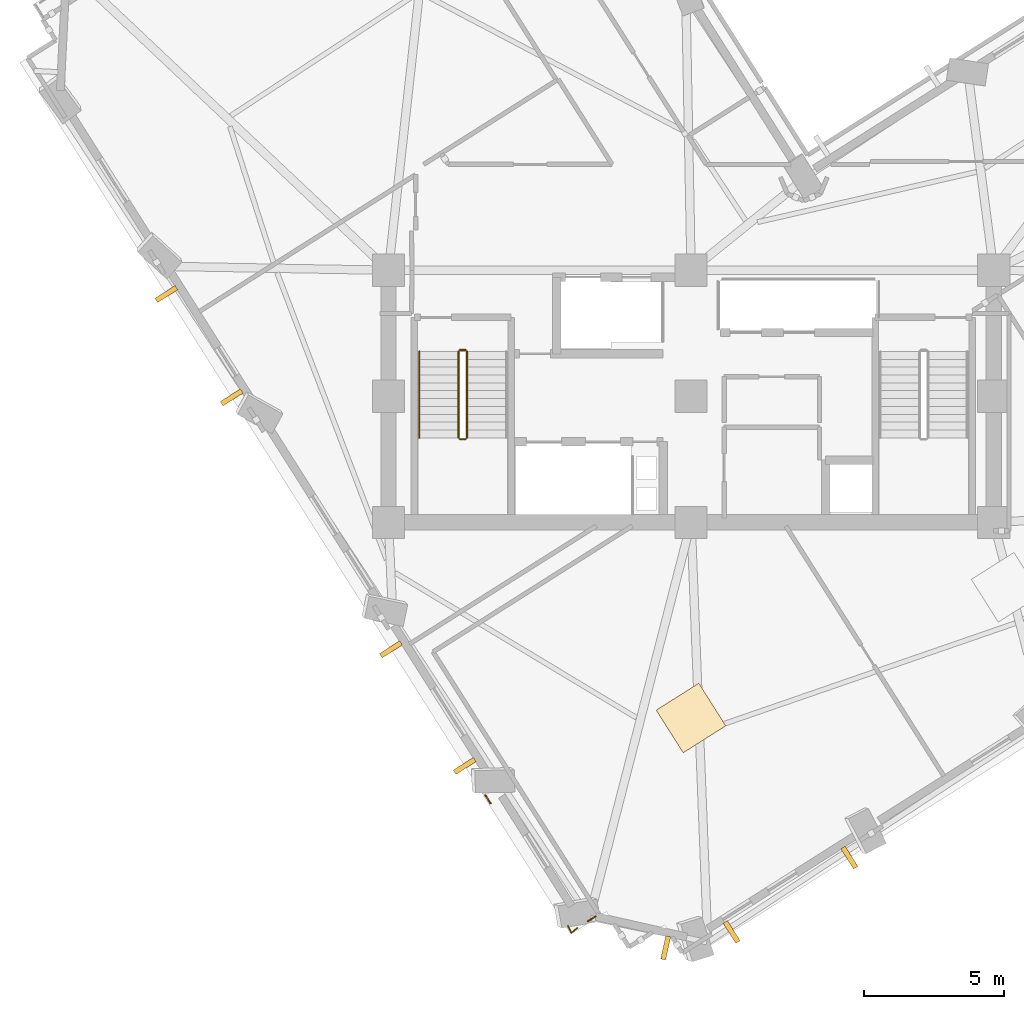
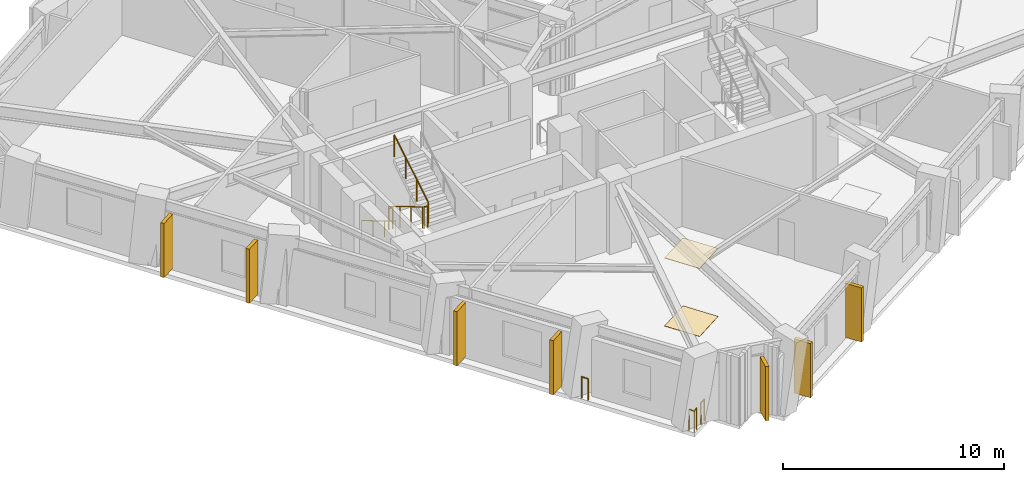
# One storey, part 10 of 14: 8 railings, 7 shading devices, 2 coverings.
"""IFC4 building model written with IfcOpenShell, lengths in metres."""

from ifc_helpers import new_model, si_unit, direction, frame, origin, origin_2d, place, context, subcontext, project, spatial, rectangle, circle, extrude, material, layer, layer_set, type_object, element, save


model = new_model("IFC4")

# Units and contexts
model_context = context("Model", 3, precision=1e-05, world=origin(), true_north=direction((0.0, 1.0)))
body_context = subcontext(model_context, "Body", "Model", "MODEL_VIEW")
ifc_project = project(units=[si_unit("LENGTHUNIT", "METRE"), si_unit("AREAUNIT", "SQUARE_METRE"), si_unit("VOLUMEUNIT", "CUBIC_METRE"), si_unit("PLANEANGLEUNIT", "RADIAN"), si_unit("MASSUNIT", "GRAM", prefix="KILO")], contexts=[model_context])

# Site, building, storey
site_placement = place(None, origin())
site = spatial("IfcSite", under=ifc_project, at=site_placement, CompositionType="ELEMENT")
building_placement = place(site_placement, origin())
building = spatial("IfcBuilding", under=site, at=building_placement, Name="Gaonmaruhae Medical Tower", CompositionType="ELEMENT")
storey_placement = place(building_placement, frame((0.0, 0.0, 161.800048828125)))
storey = spatial("IfcBuildingStorey", under=building, at=storey_placement, Name="L38", CompositionType="ELEMENT", Elevation=161.800048828125)

# Coverings
ifc_material_1 = material(Name="Acoustic mineral ceiling tile", Category="finish")
ifc_layer_1 = layer(ifc_material_1, 0.02490234375)
ifc_layer_set_1 = layer_set([ifc_layer_1], Name="Acoustic mineral ceiling tile")
covering_type_1 = type_object("IfcCoveringType", Name="CLG-01 Antimicrobial Acoustic Mineral Ceiling", PredefinedType="CEILING", material=ifc_layer_set_1)
covering_1_placement = place(storey_placement, frame((24.79638671875, 0.8203125, 3.7548828125), z_axis=(0.0, 0.0, 1.0), x_axis=(0.845261833222, 0.53435234939, 0.0)))
element("IfcCovering", 1, at=covering_1_placement, inside=storey, type_object=covering_type_1, Name="L38 Clinical Room Acoustic Ceiling 2", PredefinedType="CEILING", context=body_context, shape_type="SweptSolid", body=[
    extrude(rectangle(XDim=1.800048828125, YDim=1.800048828125, at=origin_2d()), origin(), (0.0, 0.0, 1.0), 0.02490234375),
])
ifc_material_2 = material(Name="Seamless clinical vinyl flooring", Category="finish")
ifc_layer_2 = layer(ifc_material_2, 0.014892578125)
ifc_layer_set_2 = layer_set([ifc_layer_2], Name="Seamless clinical vinyl flooring")
covering_type_2 = type_object("IfcCoveringType", Name="FLR-01 Seamless Clinical Antistatic Vinyl Flooring", PredefinedType="FLOORING", material=ifc_layer_set_2)
covering_2_placement = place(storey_placement, frame((24.79638671875, 0.8203125, 0.0), z_axis=(0.0, 0.0, 1.0), x_axis=(0.845261833222, 0.53435234939, 0.0)))
element("IfcCovering", 2, at=covering_2_placement, inside=storey, type_object=covering_type_2, Name="L38 Clinical Room Vinyl Flooring 2", PredefinedType="FLOORING", context=body_context, shape_type="SweptSolid", body=[
    extrude(rectangle(XDim=1.800048828125, YDim=1.800048828125, at=origin_2d()), origin(), (0.0, 0.0, 1.0), 0.014892578125),
])

# Railings
ifc_material_3 = material(Name="Stainless steel 316L and laminated safety glass", Category="steel")
ifc_layer_3 = layer(ifc_material_3, 0.080078125)
ifc_layer_set_3 = layer_set([ifc_layer_3], Name="Stainless steel 316L and laminated safety glass")
railing_type_1 = type_object("IfcRailingType", Name="GD-120 Outdoor Terrace Safety Glass & Steel Balustrade", PredefinedType="BALUSTRADE", material=ifc_layer_set_3)
railing_1_placement = place(storey_placement, frame((21.38818359375, -6.26171875, 0.0)))
element("IfcRailing", 3, at=railing_1_placement, inside=storey, type_object=railing_type_1, Name="L38 Perimeter Slab Edge Safety Balustrade 03", PredefinedType="BALUSTRADE", context=body_context, shape_type="SweptSolid", body=[
    extrude(circle(Radius=0.02392578125, at=origin_2d()), frame((0.0, 0.0, 1.17578125), z_axis=(-0.845044356852, -0.534696208097, 0.0), x_axis=(0.534696208097, -0.845044356852, 0.0)), (0.0, 0.0, 1.0), 0.326416015625),
    extrude(circle(Radius=0.02099609375, at=origin_2d()), origin(), (0.0, 0.0, 1.0), 1.15185546875),
    extrude(circle(Radius=0.02099609375, at=origin_2d()), frame((-0.27587890625, -0.174560546875, 0.0)), (0.0, 0.0, 1.0), 1.15185546875),
])
railing_2_placement = place(storey_placement, frame((17.64111328125, -2.224609375, 0.0)))
element("IfcRailing", 4, at=railing_2_placement, inside=storey, type_object=railing_type_1, Name="L38 Perimeter Slab Edge Safety Balustrade 04", PredefinedType="BALUSTRADE", context=body_context, shape_type="SweptSolid", body=[
    extrude(circle(Radius=0.02392578125, at=origin_2d()), frame((0.0, 0.0, 1.17578125), z_axis=(-0.534128219505, 0.84540348067, 0.0), x_axis=(-0.84540348067, -0.534128219505, 0.0)), (0.0, 0.0, 1.0), 0.339599609375),
    extrude(circle(Radius=0.02099609375, at=origin_2d()), origin(), (0.0, 0.0, 1.0), 1.15185546875),
    extrude(circle(Radius=0.02099609375, at=origin_2d()), frame((-0.181396484375, 0.287109375, 0.0)), (0.0, 0.0, 1.0), 1.15185546875),
])
railing_3_placement = place(storey_placement, frame((20.745849609375, -6.66796875, 0.0)))
element("IfcRailing", 5, at=railing_3_placement, inside=storey, type_object=railing_type_1, Name="L38 Perimeter Corner Safety Balustrade 08", PredefinedType="BALUSTRADE", context=body_context, shape_type="SweptSolid", body=[
    extrude(circle(Radius=0.02392578125, at=origin_2d()), frame((0.0, 0.0, 1.17578125), z_axis=(-0.773767842572, -0.63346927771, 0.0), x_axis=(0.63346927771, -0.773767842572, 0.0)), (0.0, 0.0, 1.0), 0.287109375),
    extrude(circle(Radius=0.02392578125, at=origin_2d()), frame((-0.22216796875, -0.181884765625, 1.17578125), z_axis=(-0.427392243912, 0.904066297261, 0.0), x_axis=(-0.904066297261, -0.427392243912, 0.0)), (0.0, 0.0, 1.0), 0.287353515625),
    extrude(circle(Radius=0.02099609375, at=origin_2d()), origin(), (0.0, 0.0, 1.0), 1.15185546875),
    extrude(circle(Radius=0.02099609375, at=origin_2d()), frame((-0.22216796875, -0.181884765625, 0.0)), (0.0, 0.0, 1.0), 1.15185546875),
    extrude(circle(Radius=0.02099609375, at=origin_2d()), frame((-0.344970703125, 0.077880859375, 0.0)), (0.0, 0.0, 1.0), 1.15185546875),
])
ifc_material_4 = material(Name="Stainless steel 304 handrail", Category="steel")
railing_type_2 = type_object("IfcRailingType", Name="HR-092 Continuous Stainless Steel Stair Handrail", PredefinedType="HANDRAIL", material=ifc_material_4)
railing_4_placement = place(storey_placement, frame((15.10009765625, 13.89990234375, 0.16650390625)))
element("IfcRailing", 6, at=railing_4_placement, inside=storey, type_object=railing_type_2, Name="L38 ST-01 stair handrail 1", PredefinedType="HANDRAIL", context=body_context, shape_type="SweptSolid", body=[
    extrude(circle(Radius=0.02392578125, at=origin_2d()), frame((0.0, 0.0, 0.8759765625), z_axis=(0.0, -0.859260807169, 0.511537745687), x_axis=(1.0, 0.0, 0.0)), (0.0, 0.0, 1.0), 3.584228515625),
    extrude(circle(Radius=0.02099609375, at=origin_2d()), origin(), (0.0, 0.0, 1.0), 0.851806640625),
    extrude(circle(Radius=0.02099609375, at=origin_2d()), frame((0.0, -1.026611328125, 0.611083984375)), (0.0, 0.0, 1.0), 0.851806640625),
    extrude(circle(Radius=0.02099609375, at=origin_2d()), frame((0.0, -2.05322265625, 1.222412109375)), (0.0, 0.0, 1.0), 0.851806640625),
    extrude(circle(Radius=0.02099609375, at=origin_2d()), frame((0.0, -3.079833984375, 1.83349609375)), (0.0, 0.0, 1.0), 0.851806640625),
])

# Shading devices
ifc_material_5 = material(Name="Pigmented coral precast concrete C45/55", Category="concrete")
shading_device_type = type_object("IfcShadingDeviceType", Name="SD-FIN1 Tower Vertical Coral Precast Shading Fin", PredefinedType="USERDEFINED", material=ifc_material_5)
for number, where, z_axis, x_axis, name in (
    (7, (30.447509765625, -4.160888671875, 0.08251953125), (0.0, 0.0, 1.0), (-0.845261833222, -0.53435234939, 0.0), "L38 Vertical Coral Precast Shading Fin S01"),
    (8, (26.24658203125, -6.816650390625, 0.08251953125), (0.0, 0.0, 1.0), (-0.845261833222, -0.53435234939, 0.0), "L38 Vertical Coral Precast Shading Fin S01B"),
    (9, (8.404296875, 12.265380859375, 0.08251953125), (0.0, 0.0, 1.0), (-0.53435234939, 0.845261833222, 0.0), "L38 Vertical Coral Precast Shading Fin W02"),
    (10, (6.0732421875, 15.952392578125, 0.08251953125), (0.0, 0.0, 1.0), (-0.53435234939, 0.845261833222, 0.0), "L38 Vertical Coral Precast Shading Fin W02B"),
    (11, (16.719970703125, -0.888916015625, 0.08251953125), (0.0, 0.0, 1.0), (-0.53435234939, 0.845261833222, 0.0), "L38 Vertical Coral Precast Shading Fin W04"),
    (12, (14.089111328125, 3.27294921875, 0.08251953125), (0.0, 0.0, 1.0), (-0.53435234939, 0.845261833222, 0.0), "L38 Vertical Coral Precast Shading Fin W04B"),
    (13, (23.893798828125, -7.385009765625, 0.08251953125), (0.0, 0.0, 1.0), (-0.975534543946, 0.219846204353, 0.0), "L38 Vertical Coral Precast Shading Fin W06"),
):
    element("IfcShadingDevice", number, at=place(storey_placement, frame(where, z_axis=z_axis, x_axis=x_axis)), inside=storey, type_object=shading_device_type, Name=name, ObjectType="FIN", PredefinedType="USERDEFINED", context=body_context, shape_type="SweptSolid", body=[
        extrude(rectangle(XDim=0.179931640625, YDim=0.85009765625, at=origin_2d()), origin(), (0.0, 0.0, 1.0), 3.0),
    ])

# Railings
ifc_material_6 = material(Name="Stainless steel 304 balustrade", Category="steel")
railing_type_3 = type_object("IfcRailingType", Name="SG-112 Stair Well & Ramp Void Safety Balustrade", PredefinedType="BALUSTRADE", material=ifc_material_6)
railing_5_placement = place(storey_placement, frame((16.5, 13.89990234375, 0.16650390625)))
element("IfcRailing", 14, at=railing_5_placement, inside=storey, type_object=railing_type_3, Name="L38 ST-01 stair guard 1", PredefinedType="BALUSTRADE", context=body_context, shape_type="SweptSolid", body=[
    extrude(circle(Radius=0.02392578125, at=origin_2d()), frame((0.0, 0.0, 1.17578125), z_axis=(0.0, -0.859260807169, 0.511537745687), x_axis=(1.0, 0.0, 0.0)), (0.0, 0.0, 1.0), 3.584228515625),
    extrude(circle(Radius=0.02099609375, at=origin_2d()), origin(), (0.0, 0.0, 1.0), 1.15185546875),
    extrude(circle(Radius=0.02099609375, at=origin_2d()), frame((0.0, -1.026611328125, 0.611083984375)), (0.0, 0.0, 1.0), 1.15185546875),
    extrude(circle(Radius=0.02099609375, at=origin_2d()), frame((0.0, -2.05322265625, 1.222412109375)), (0.0, 0.0, 1.0), 1.15185546875),
    extrude(circle(Radius=0.02099609375, at=origin_2d()), frame((0.0, -3.079833984375, 1.83349609375)), (0.0, 0.0, 1.0), 1.15185546875),
])
railing_6_placement = place(storey_placement, frame((16.550048828125, 10.77001953125, 2.0)))
element("IfcRailing", 15, at=railing_6_placement, inside=storey, type_object=railing_type_3, Name="L38 ST-01 stair guard 2", PredefinedType="BALUSTRADE", context=body_context, shape_type="SweptSolid", body=[
    extrude(circle(Radius=0.02392578125, at=origin_2d()), frame((0.0, 0.0, 1.17578125), z_axis=(1.0, 0.0, 0.0), x_axis=(0.0, 1.0, 0.0)), (0.0, 0.0, 1.0), 0.199951171875),
    extrude(circle(Radius=0.02099609375, at=origin_2d()), origin(), (0.0, 0.0, 1.0), 1.15185546875),
    extrude(circle(Radius=0.02099609375, at=origin_2d()), frame((0.199951171875, 0.0, 0.0)), (0.0, 0.0, 1.0), 1.15185546875),
])
railing_7_placement = place(storey_placement, frame((16.800048828125, 10.820068359375, 2.16650390625)))
element("IfcRailing", 16, at=railing_7_placement, inside=storey, type_object=railing_type_3, Name="L38 ST-01 stair guard 3", PredefinedType="BALUSTRADE", context=body_context, shape_type="SweptSolid", body=[
    extrude(circle(Radius=0.02392578125, at=origin_2d()), frame((0.0, 0.0, 1.17578125), z_axis=(0.0, 0.859260807169, 0.511537745687), x_axis=(-1.0, 0.0, 0.0)), (0.0, 0.0, 1.0), 3.584228515625),
    extrude(circle(Radius=0.02099609375, at=origin_2d()), origin(), (0.0, 0.0, 1.0), 1.15185546875),
    extrude(circle(Radius=0.02099609375, at=origin_2d()), frame((0.0, 1.026611328125, 0.611083984375)), (0.0, 0.0, 1.0), 1.15185546875),
    extrude(circle(Radius=0.02099609375, at=origin_2d()), frame((0.0, 2.05322265625, 1.222412109375)), (0.0, 0.0, 1.0), 1.15185546875),
    extrude(circle(Radius=0.02099609375, at=origin_2d()), frame((0.0, 3.079833984375, 1.83349609375)), (0.0, 0.0, 1.0), 1.15185546875),
])
railing_8_placement = place(storey_placement, frame((16.550048828125, 13.949951171875, 0.0)))
element("IfcRailing", 17, at=railing_8_placement, inside=storey, type_object=railing_type_3, Name="L38 ST-01 stair guard 4", PredefinedType="BALUSTRADE", context=body_context, shape_type="SweptSolid", body=[
    extrude(circle(Radius=0.02392578125, at=origin_2d()), frame((0.0, 0.0, 1.17578125), z_axis=(1.0, 0.0, 0.0), x_axis=(0.0, 1.0, 0.0)), (0.0, 0.0, 1.0), 0.199951171875),
    extrude(circle(Radius=0.02099609375, at=origin_2d()), origin(), (0.0, 0.0, 1.0), 1.15185546875),
    extrude(circle(Radius=0.02099609375, at=origin_2d()), frame((0.199951171875, 0.0, 0.0)), (0.0, 0.0, 1.0), 1.15185546875),
])

save(model, "model.ifc")
